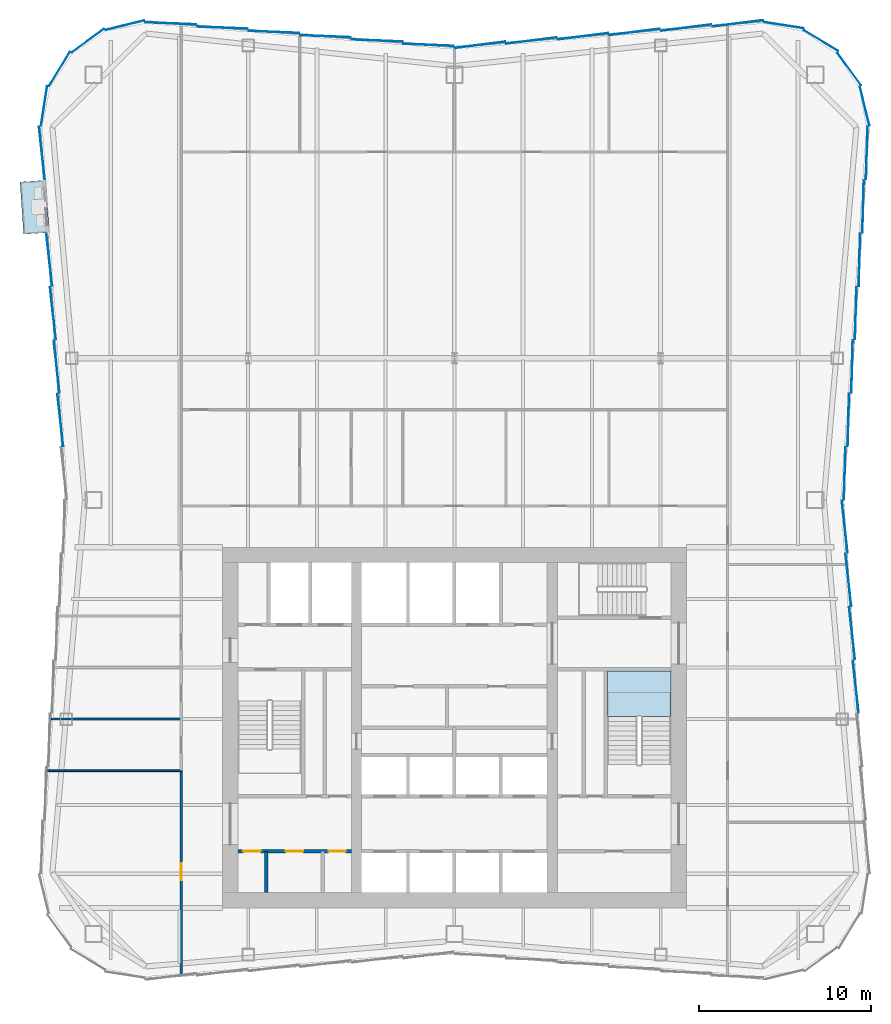
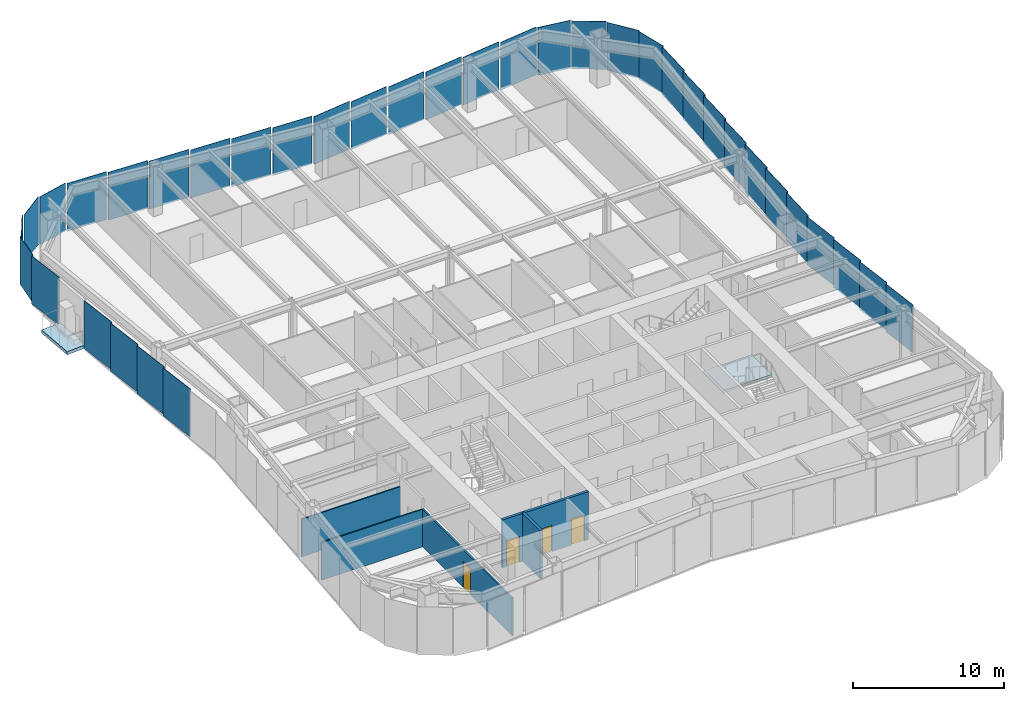
# One storey, part 4 of 10: 36 plates, 5 walls, 4 doors, 2 slabs, 4 openings, 6 elements without a shape of their own.
"""IFC4 building model written with IfcOpenShell, lengths in metres."""

import ifcopenshell
import ifcopenshell.guid

model = None  # the IFC model being written
_history = None  # IfcOwnerHistory: only IFC2X3 demands one
_inside = {}  # id of a spatial element -> (the spatial element, [elements in it])
_under = {}  # id of a project, library or spatial element -> (it, [spatial elements below it])
_declared = {}  # id of a project -> (the project, [libraries it declares])
_typed = {}  # id of a type object -> (the type object, [elements of that type])
_made_of = {}  # id of a material, layer set ... -> (it, [elements and type objects made of it])


def new_model(schema):
    """Start an empty IFC model of exactly this schema.

    Asked for "IFC4X3", IfcOpenShell would pick the latest addendum, in which some entities
    have other attributes; the version numbers below select the first issue.
    IFC2X3 requires an IfcOwnerHistory on every rooted entity: one is made here for all.
    """
    global model, _history
    if schema == "IFC4X3":
        model = ifcopenshell.file(schema_version=(4, 3, 0, 0))
    else:
        model = ifcopenshell.file(schema=schema)
    _inside.clear()
    _under.clear()
    _declared.clear()
    _typed.clear()
    _made_of.clear()
    _history = None
    if model.schema == "IFC2X3":
        org = make("IfcOrganization", Name="unknown")
        user = make(
            "IfcPersonAndOrganization",
            ThePerson=make("IfcPerson", FamilyName="unknown"),
            TheOrganization=org,
        )
        app = make(
            "IfcApplication",
            ApplicationDeveloper=org,
            Version="unknown",
            ApplicationFullName="unknown",
            ApplicationIdentifier="unknown",
        )
        _history = make(
            "IfcOwnerHistory",
            OwningUser=user,
            OwningApplication=app,
            ChangeAction="ADDED",
            CreationDate=0,
        )
    return model


def make(cls, **values):
    """One entity of the class cls with the attributes given. An attribute that is None is left unset."""
    return model.create_entity(
        cls, **{name: value for name, value in values.items() if value is not None}
    )


def rooted(cls, **values):
    """An entity with a GlobalId (a new one), such as an element, a storey or a relation."""
    return make(cls, GlobalId=ifcopenshell.guid.new(), OwnerHistory=_history, **values)


def si_unit(unit_type, name, prefix=None):
    """IfcSIUnit, for example si_unit("LENGTHUNIT", "METRE", prefix="MILLI")."""
    return make("IfcSIUnit", UnitType=unit_type, Prefix=prefix, Name=name)


def assignment(units):
    """IfcUnitAssignment: the units of a project."""
    return None if units is None else make("IfcUnitAssignment", Units=units)


def point(xyz):
    """IfcCartesianPoint."""
    return None if xyz is None else make("IfcCartesianPoint", Coordinates=xyz)


def direction(xyz):
    """IfcDirection."""
    return None if xyz is None else make("IfcDirection", DirectionRatios=xyz)


def frame(location, z_axis=None, x_axis=None):
    """IfcAxis2Placement3D, a coordinate frame: its origin and axes. An axis left out is left unset."""
    return make(
        "IfcAxis2Placement3D",
        Location=point(location),
        Axis=direction(z_axis),
        RefDirection=direction(x_axis),
    )


def frame_2d(location, x_axis=None):
    """IfcAxis2Placement2D, a coordinate frame in the plane: its origin and x axis."""
    return make(
        "IfcAxis2Placement2D", Location=point(location), RefDirection=direction(x_axis)
    )


def origin():
    """The frame at (0, 0, 0) with its axes left unset."""
    return frame((0.0, 0.0, 0.0))


def origin_2d():
    """The frame at (0, 0) in the plane with its x axis left unset."""
    return frame_2d((0.0, 0.0))


def place(relative_to, where):
    """IfcLocalPlacement: puts the frame where relative to a parent placement (None: the world)."""
    return make(
        "IfcLocalPlacement", PlacementRelTo=relative_to, RelativePlacement=where
    )


def context(
    kind, dimensions, precision=None, world=None, true_north=None, identifier=None
):
    """IfcGeometricRepresentationContext, for example the 3D "Model" context."""
    return make(
        "IfcGeometricRepresentationContext",
        ContextIdentifier=identifier,
        ContextType=kind,
        CoordinateSpaceDimension=dimensions,
        Precision=precision,
        WorldCoordinateSystem=world,
        TrueNorth=true_north,
    )


def subcontext(parent, identifier, kind, view, scale=None):
    """IfcGeometricRepresentationSubContext, for example "Body" below "Model"."""
    return make(
        "IfcGeometricRepresentationSubContext",
        ContextIdentifier=identifier,
        ContextType=kind,
        ParentContext=parent,
        TargetScale=scale,
        TargetView=view,
    )


def project(units=None, contexts=None):
    """IfcProject with its units and contexts."""
    return rooted(
        "IfcProject",
        Name="project",
        RepresentationContexts=contexts,
        UnitsInContext=assignment(units),
    )


def spatial(cls, under=None, at=None, **own):
    """A site, building, storey or space (cls), placed at a placement, below another one or the project."""
    s = rooted(cls, ObjectPlacement=at, **own)
    if under is not None:
        _under.setdefault(under.id(), (under, []))[1].append(s)
    return s


def polyline(points):
    """IfcPolyline through the points."""
    return make("IfcPolyline", Points=[point(p) for p in points])


def profile(cls, at=None, kind="AREA", **sizes):
    """A parametric profile (cls). Its sizes go by their IFC names, for example OverallWidth=200.0."""
    return make(cls, ProfileType=kind, Position=at, **sizes)


def rectangle(**sizes):
    """IfcRectangleProfileDef."""
    return profile("IfcRectangleProfileDef", **sizes)


def outline(outer, holes=None, kind="AREA"):
    """IfcArbitraryClosedProfileDef: a profile drawn as a closed curve; with holes, ...WithVoids."""
    if holes is None:
        return make("IfcArbitraryClosedProfileDef", ProfileType=kind, OuterCurve=outer)
    return make(
        "IfcArbitraryProfileDefWithVoids",
        ProfileType=kind,
        OuterCurve=outer,
        InnerCurves=holes,
    )


def extrude(swept, where, along, depth):
    """IfcExtrudedAreaSolid: the profile swept, set in the frame where, extruded along a direction by depth."""
    return make(
        "IfcExtrudedAreaSolid",
        SweptArea=swept,
        Position=where,
        ExtrudedDirection=direction(along),
        Depth=depth,
    )


def shape(context_of_items, identifier, shape_type, items):
    """IfcShapeRepresentation: the items that make up one representation, for example the "Body"."""
    return make(
        "IfcShapeRepresentation",
        ContextOfItems=context_of_items,
        RepresentationIdentifier=identifier,
        RepresentationType=shape_type,
        Items=items,
    )


def material(Name=None, Category=None):
    """IfcMaterial."""
    return make("IfcMaterial", Name=Name, Category=Category)


def layer(
    of_material, thickness, ventilated=None, Name=None, Category=None, Priority=None
):
    """IfcMaterialLayer: one layer of a wall or slab, of a material (None: an air gap)."""
    return make(
        "IfcMaterialLayer",
        Material=of_material,
        LayerThickness=thickness,
        IsVentilated=ventilated,
        Name=Name,
        Category=Category,
        Priority=Priority,
    )


def layer_set(layers, Name=None):
    """IfcMaterialLayerSet."""
    return make("IfcMaterialLayerSet", MaterialLayers=layers, LayerSetName=Name)


def made_of(thing, what):
    """Note that an element or type object is made of a material, layer set ...; save() writes the relation."""
    if what is not None:
        _made_of.setdefault(what.id(), (what, []))[1].append(thing)
    return thing


def type_object(cls, material=None, **own):
    """A type object (cls), such as IfcWallType, which elements share."""
    return made_of(rooted(cls, **own), material)


def element(
    cls,
    number,
    at=None,
    inside=None,
    cuts=None,
    type_object=None,
    material=None,
    context=None,
    identifier="Body",
    shape_type=None,
    held_by="IfcProductDefinitionShape",
    body=None,
    shapes=None,
    **own,
):
    """One element of the class cls, such as IfcWall. Its Tag is "e" and its number.

    at: its placement. inside: the storey or other place that contains it. cuts: it is an
    opening in that element (IfcRelVoidsElement). A single representation is given by context,
    identifier, shape_type and body (its items); several are given by shapes. held_by: the class
    of the entity that holds the representations. save() writes the other relations.
    """
    e = rooted(cls, Tag="e%d" % number, ObjectPlacement=at, **own)
    if body is not None:
        shapes = [shape(context, identifier, shape_type, body)]
    if shapes is not None:
        e.Representation = make(held_by, Representations=shapes)
    if inside is not None:
        _inside.setdefault(inside.id(), (inside, []))[1].append(e)
    if cuts is not None:
        rooted(
            "IfcRelVoidsElement", RelatingBuildingElement=cuts, RelatedOpeningElement=e
        )
    if type_object is not None:
        _typed.setdefault(type_object.id(), (type_object, []))[1].append(e)
    return made_of(e, material)


def fill(opening, filler):
    """IfcRelFillsElement: the door or window that sits in an opening."""
    return rooted(
        "IfcRelFillsElement",
        RelatingOpeningElement=opening,
        RelatedBuildingElement=filler,
    )


def aggregate(whole, parts):
    """IfcRelAggregates: a whole, such as a stair, and the parts it consists of."""
    return rooted("IfcRelAggregates", RelatingObject=whole, RelatedObjects=parts)


def save(model, path):
    """Write the relations noted so far, then the file.

    IfcRelAggregates (storeys below a building ...), IfcRelContainedInSpatialStructure (elements
    in a storey), IfcRelDefinesByType, IfcRelAssociatesMaterial and IfcRelDeclares: one each for
    every whole, place, type object, material and project.
    """
    for whole, parts in _under.values():
        aggregate(whole, parts)
    for where, things in _inside.values():
        rooted(
            "IfcRelContainedInSpatialStructure",
            RelatedElements=things,
            RelatingStructure=where,
        )
    for kind, things in _typed.values():
        rooted("IfcRelDefinesByType", RelatedObjects=things, RelatingType=kind)
    for what, things in _made_of.values():
        rooted("IfcRelAssociatesMaterial", RelatedObjects=things, RelatingMaterial=what)
    for by, libraries in _declared.values():
        rooted("IfcRelDeclares", RelatingContext=by, RelatedDefinitions=libraries)
    model.write(path)


model = new_model("IFC4")

# Units and contexts
model_context = context("Model", 3, precision=1e-05, world=origin(), true_north=direction((0.0, 1.0)))
body_context = subcontext(model_context, "Body", "Model", "MODEL_VIEW")
ifc_project = project(units=[si_unit("LENGTHUNIT", "METRE"), si_unit("AREAUNIT", "SQUARE_METRE"), si_unit("VOLUMEUNIT", "CUBIC_METRE"), si_unit("PLANEANGLEUNIT", "RADIAN"), si_unit("MASSUNIT", "GRAM", prefix="KILO")], contexts=[model_context])

# Site, building, storey
site_placement = place(None, origin())
site = spatial("IfcSite", under=ifc_project, at=site_placement, CompositionType="ELEMENT")
building_placement = place(site_placement, origin())
building = spatial("IfcBuilding", under=site, at=building_placement, Name="Verdant Reach Tower", CompositionType="ELEMENT")
storey_placement = place(building_placement, frame((0.0, 0.0, 202.0)))
storey = spatial("IfcBuildingStorey", under=building, at=storey_placement, Name="L46", CompositionType="ELEMENT", Elevation=202.0)

# Stair, slab
ifc_material_1 = material(Name="Concrete C40/50", Category="concrete")
stair_type = type_object("IfcStairType", Name="CO-STAIR", PredefinedType="HALF_TURN_STAIR", material=ifc_material_1)
stair_placement = place(storey_placement, origin())
stair = element("IfcStair", 1, at=stair_placement, inside=storey, type_object=stair_type, Name="L46 Exit stair 2", PredefinedType="HALF_TURN_STAIR")
ifc_layer_1 = layer(ifc_material_1, 0.199951171875)
ifc_layer_set_1 = layer_set([ifc_layer_1], Name="CO-STAIR-LANDING")
slab_type_1 = type_object("IfcSlabType", Name="CO-STAIR-LANDING", PredefinedType="LANDING", material=ifc_layer_set_1)
slab_1_placement = place(storey_placement, frame((0.0, 0.0, 1.800048828125)))
slab_1 = element("IfcSlab", 2, at=slab_1_placement, type_object=slab_type_1, Name="ST-2 landing 1", PredefinedType="LANDING", context=body_context, shape_type="SweptSolid", body=[
    extrude(outline(polyline([(12.60009765625, 28.64990234375), (12.60009765625, 31.300048828125), (8.89990234375, 31.300048828125), (8.89990234375, 28.64990234375), (12.60009765625, 28.64990234375)])), origin(), (0.0, 0.0, 1.0), 0.199951171875),
])
aggregate(stair, [slab_1])

# Slab
ifc_material_2 = material(Name="Concrete C35/45", Category="concrete")
ifc_layer_2 = layer(ifc_material_2, 0.25)
ifc_layer_set_2 = layer_set([ifc_layer_2], Name="EN-BALCONY SLAB")
slab_type_2 = type_object("IfcSlabType", Name="EN-BALCONY SLAB", PredefinedType="FLOOR", material=ifc_layer_set_2)
slab_2_placement = place(storey_placement, frame((0.0, 0.0, -0.25)))
element("IfcSlab", 3, at=slab_2_placement, inside=storey, type_object=slab_type_2, Name="Balcony slab 1, L46", PredefinedType="FLOOR", context=body_context, shape_type="SweptSolid", body=[
    extrude(outline(polyline([(-23.783447265625, 59.85986328125), (-23.57373046875, 56.818603515625), (-25.070068359375, 56.71533203125), (-25.27978515625, 59.7568359375), (-23.783447265625, 59.85986328125)])), origin(), (0.0, 0.0, 1.0), 0.25),
])

# Curtain wall, plates
ifc_material_3 = material(Name="Anodised aluminium", Category="aluminium")
curtain_wall_type = type_object("IfcCurtainWallType", Name="EN-CW SYSTEM Z3", PredefinedType="NOTDEFINED", material=ifc_material_3)
curtain_wall_1_placement = place(storey_placement, origin())
curtain_wall_1 = element("IfcCurtainWall", 4, at=curtain_wall_1_placement, inside=storey, type_object=curtain_wall_type, Name="Curtain wall east, L46", PredefinedType="NOTDEFINED")
ifc_material_4 = material(Name="Tinted glass with champagne spandrel", Category="glass")
ifc_layer_3 = layer(ifc_material_4, 0.031982421875)
ifc_layer_set_3 = layer_set([ifc_layer_3], Name="EN-PANEL CHAMPAGNE")
plate_type_1 = type_object("IfcPlateType", Name="EN-PANEL CHAMPAGNE", PredefinedType="CURTAIN_PANEL", material=ifc_layer_set_3)
plate_1_placement = place(storey_placement, frame((22.93017578125, 36.5966796875, -0.22412109375), z_axis=(0.0, 0.0, 1.0), x_axis=(-0.110518162674, 0.993874104562, 0.0)))
plate_1 = element("IfcPlate", 5, at=plate_1_placement, type_object=plate_type_1, Name="Glass panel east face part 1 6.1, L46", PredefinedType="CURTAIN_PANEL", context=body_context, shape_type="SweptSolid", body=[
    extrude(rectangle(XDim=3.052490234375, YDim=0.031982421875, at=origin_2d()), origin(), (0.0, 0.0, 1.0), 3.8740234375),
])
plate_2_placement = place(storey_placement, frame((22.716064453125, 39.7001953125, -0.22412109375), z_axis=(0.0, 0.0, 1.0), x_axis=(-0.110600785385, 0.993864913493, 0.0)))
plate_2 = element("IfcPlate", 6, at=plate_2_placement, type_object=plate_type_1, Name="Glass panel east face part 1 7.1, L46", PredefinedType="CURTAIN_PANEL", context=body_context, shape_type="SweptSolid", body=[
    extrude(rectangle(XDim=3.044921875, YDim=0.031982421875, at=origin_2d()), origin(), (0.0, 0.0, 1.0), 3.8740234375),
])
plate_3_placement = place(storey_placement, frame((22.716064453125, 42.7998046875, -0.22412109375), z_axis=(0.0, 0.0, 1.0), x_axis=(0.027048420339, 0.999634124546, 0.0)))
plate_3 = element("IfcPlate", 7, at=plate_3_placement, type_object=plate_type_1, Name="Glass panel east face part 2 1.1, L46", PredefinedType="CURTAIN_PANEL", context=body_context, shape_type="SweptSolid", body=[
    extrude(rectangle(XDim=3.044921875, YDim=0.031982421875, at=origin_2d()), origin(), (0.0, 0.0, 1.0), 3.8740234375),
])
plate_4_placement = place(storey_placement, frame((24.001708984375, 61.446044921875, -0.22412109375), z_axis=(0.0, 0.0, 1.0), x_axis=(0.026659626966, 0.999644568979, 0.0)))
plate_4 = element("IfcPlate", 8, at=plate_4_placement, type_object=plate_type_1, Name="Glass panel east face part 2 7.1, L46", PredefinedType="CURTAIN_PANEL", context=body_context, shape_type="SweptSolid", body=[
    extrude(rectangle(XDim=3.06689453125, YDim=0.031982421875, at=origin_2d()), origin(), (0.0, 0.0, 1.0), 3.8740234375),
])

curtain_wall_2_placement = place(storey_placement, origin())
curtain_wall_2 = element("IfcCurtainWall", 9, at=curtain_wall_2_placement, inside=storey, type_object=curtain_wall_type, Name="Curtain wall north, L46", PredefinedType="NOTDEFINED")
plate_5_placement = place(storey_placement, frame((7.490966796875, 68.233642578125, -0.22412109375), z_axis=(0.0, 0.0, 1.0), x_axis=(-0.992194034542, -0.124703639961, 0.0)))
plate_5 = element("IfcPlate", 10, at=plate_5_placement, type_object=plate_type_1, Name="Glass panel north face part 1 4.1, L46", PredefinedType="CURTAIN_PANEL", context=body_context, shape_type="SweptSolid", body=[
    extrude(rectangle(XDim=2.948486328125, YDim=0.031982421875, at=origin_2d()), origin(), (0.0, 0.0, 1.0), 3.8740234375),
])
plate_6_placement = place(storey_placement, frame((4.490966796875, 67.983642578125, -0.22412109375), z_axis=(0.0, 0.0, 1.0), x_axis=(-0.992194034542, -0.124703639961, 0.0)))
plate_6 = element("IfcPlate", 11, at=plate_6_placement, type_object=plate_type_1, Name="Glass panel north face part 1 5.1, L46", PredefinedType="CURTAIN_PANEL", context=body_context, shape_type="SweptSolid", body=[
    extrude(rectangle(XDim=2.948486328125, YDim=0.031982421875, at=origin_2d()), origin(), (0.0, 0.0, 1.0), 3.8740234375),
])
plate_7_placement = place(storey_placement, frame((-13.490966796875, 68.733642578125, -0.22412109375), z_axis=(0.0, 0.0, 1.0), x_axis=(-0.999149202059, 0.041241629766, 0.0)))
plate_7 = element("IfcPlate", 12, at=plate_7_placement, type_object=plate_type_1, Name="Glass panel north face part 2 5.1, L46", PredefinedType="CURTAIN_PANEL", context=body_context, shape_type="SweptSolid", body=[
    extrude(rectangle(XDim=2.948486328125, YDim=0.031982421875, at=origin_2d()), origin(), (0.0, 0.0, 1.0), 3.8740234375),
])
plate_8_placement = place(storey_placement, frame((-16.49853515625, 68.983642578125, -0.22412109375), z_axis=(0.0, 0.0, 1.0), x_axis=(-0.999163623568, 0.040890748818, 0.0)))
plate_8 = element("IfcPlate", 13, at=plate_8_placement, type_object=plate_type_1, Name="Glass panel north face part 2 6.1, L46", PredefinedType="CURTAIN_PANEL", context=body_context, shape_type="SweptSolid", body=[
    extrude(rectangle(XDim=2.963623046875, YDim=0.031982421875, at=origin_2d()), origin(), (0.0, 0.0, 1.0), 3.8740234375),
])

# Curtain wall, plate
curtain_wall_3_placement = place(storey_placement, origin())
curtain_wall_3 = element("IfcCurtainWall", 14, at=curtain_wall_3_placement, inside=storey, type_object=curtain_wall_type, Name="Curtain wall north-west corner, L46", PredefinedType="NOTDEFINED")
plate_9_placement = place(storey_placement, frame((-23.87646484375, 64.17236328125, -0.22412109375), z_axis=(0.0, 0.0, 1.0), x_axis=(-0.154311870796, -0.988022189291, 0.0)))
plate_9 = element("IfcPlate", 15, at=plate_9_placement, type_object=plate_type_1, Name="Glass panel north-west corner 4.1, L46", PredefinedType="CURTAIN_PANEL", context=body_context, shape_type="SweptSolid", body=[
    extrude(rectangle(XDim=2.314697265625, YDim=0.031982421875, at=origin_2d()), origin(), (0.0, 0.0, 1.0), 3.8740234375),
])

# Curtain wall, plates
curtain_wall_4_placement = place(storey_placement, origin())
curtain_wall_4 = element("IfcCurtainWall", 16, at=curtain_wall_4_placement, inside=storey, type_object=curtain_wall_type, Name="Curtain wall west, L46", PredefinedType="NOTDEFINED")
plate_10_placement = place(storey_placement, frame((-23.572998046875, 55.224609375, -0.22412109375), z_axis=(0.0, 0.0, 1.0), x_axis=(0.110518162674, -0.993874104562, 0.0)))
plate_10 = element("IfcPlate", 17, at=plate_10_placement, type_object=plate_type_1, Name="Glass panel west face part 1 3.1, L46", PredefinedType="CURTAIN_PANEL", context=body_context, shape_type="SweptSolid", body=[
    extrude(rectangle(XDim=3.052490234375, YDim=0.031982421875, at=origin_2d()), origin(), (0.0, 0.0, 1.0), 3.8740234375),
])
plate_11_placement = place(storey_placement, frame((-23.358642578125, 52.117431640625, -0.22412109375), z_axis=(0.0, 0.0, 1.0), x_axis=(0.110518162674, -0.993874104562, 0.0)))
plate_11 = element("IfcPlate", 18, at=plate_11_placement, type_object=plate_type_1, Name="Glass panel west face part 1 4.1, L46", PredefinedType="CURTAIN_PANEL", context=body_context, shape_type="SweptSolid", body=[
    extrude(rectangle(XDim=3.052490234375, YDim=0.031982421875, at=origin_2d()), origin(), (0.0, 0.0, 1.0), 3.8740234375),
])

# Plate
ifc_material_5 = material(Name="Tinted glass with copper spandrel", Category="glass")
ifc_layer_4 = layer(ifc_material_5, 0.031982421875)
ifc_layer_set_4 = layer_set([ifc_layer_4], Name="EN-PANEL COPPER")
plate_type_2 = type_object("IfcPlateType", Name="EN-PANEL COPPER", PredefinedType="CURTAIN_PANEL", material=ifc_layer_set_4)
plate_12_placement = place(storey_placement, frame((22.93017578125, 45.9033203125, -0.22412109375), z_axis=(0.0, 0.0, 1.0), x_axis=(0.026965318308, 0.999636369691, 0.0)))
plate_12 = element("IfcPlate", 19, at=plate_12_placement, type_object=plate_type_2, Name="Glass panel east face part 2 2.1, L46", PredefinedType="CURTAIN_PANEL", context=body_context, shape_type="SweptSolid", body=[
    extrude(rectangle(XDim=3.052490234375, YDim=0.031982421875, at=origin_2d()), origin(), (0.0, 0.0, 1.0), 3.8740234375),
])

plate_13_placement = place(storey_placement, frame((23.14453125, 49.01025390625, -0.22412109375), z_axis=(0.0, 0.0, 1.0), x_axis=(0.026965318308, 0.999636369691, 0.0)))
plate_13 = element("IfcPlate", 20, at=plate_13_placement, type_object=plate_type_2, Name="Glass panel east face part 2 3.1, L46", PredefinedType="CURTAIN_PANEL", context=body_context, shape_type="SweptSolid", body=[
    extrude(rectangle(XDim=3.052490234375, YDim=0.031982421875, at=origin_2d()), origin(), (0.0, 0.0, 1.0), 3.8740234375),
])

plate_14_placement = place(storey_placement, frame((23.358642578125, 52.117431640625, -0.22412109375), z_axis=(0.0, 0.0, 1.0), x_axis=(0.026965318308, 0.999636369691, 0.0)))
plate_14 = element("IfcPlate", 21, at=plate_14_placement, type_object=plate_type_2, Name="Glass panel east face part 2 4.1, L46", PredefinedType="CURTAIN_PANEL", context=body_context, shape_type="SweptSolid", body=[
    extrude(rectangle(XDim=3.052490234375, YDim=0.031982421875, at=origin_2d()), origin(), (0.0, 0.0, 1.0), 3.8740234375),
])

# Curtain wall, plates
curtain_wall_5_placement = place(storey_placement, origin())
curtain_wall_5 = element("IfcCurtainWall", 22, at=curtain_wall_5_placement, inside=storey, type_object=curtain_wall_type, Name="Curtain wall north-east corner, L46", PredefinedType="NOTDEFINED")
plate_15_placement = place(storey_placement, frame((23.87646484375, 64.17236328125, -0.22412109375), z_axis=(0.0, 0.0, 1.0), x_axis=(-0.23644624331, 0.97164457186, 0.0)))
plate_15 = element("IfcPlate", 23, at=plate_15_placement, type_object=plate_type_2, Name="Glass panel north-east corner 1.1, L46", PredefinedType="CURTAIN_PANEL", context=body_context, shape_type="SweptSolid", body=[
    extrude(rectangle(XDim=2.314697265625, YDim=0.031982421875, at=origin_2d()), origin(), (0.0, 0.0, 1.0), 3.8740234375),
])
plate_16_placement = place(storey_placement, frame((22.98193359375, 66.328857421875, -0.22412109375), z_axis=(0.0, 0.0, 1.0), x_axis=(-0.589926747542, 0.807456768214, 0.0)))
plate_16 = element("IfcPlate", 24, at=plate_16_placement, type_object=plate_type_2, Name="Glass panel north-east corner 2.1, L46", PredefinedType="CURTAIN_PANEL", context=body_context, shape_type="SweptSolid", body=[
    extrude(rectangle(XDim=2.321533203125, YDim=0.031982421875, at=origin_2d()), origin(), (0.0, 0.0, 1.0), 3.8740234375),
])

# Plate
plate_17_placement = place(storey_placement, frame((1.495361328125, 67.73388671875, -0.22412109375), z_axis=(0.0, 0.0, 1.0), x_axis=(-0.992178382939, -0.124828107529, 0.0)))
plate_17 = element("IfcPlate", 25, at=plate_17_placement, type_object=plate_type_2, Name="Glass panel north face part 1 6.1, L46", PredefinedType="CURTAIN_PANEL", context=body_context, shape_type="SweptSolid", body=[
    extrude(rectangle(XDim=2.939453125, YDim=0.031982421875, at=origin_2d()), origin(), (0.0, 0.0, 1.0), 3.8740234375),
])

plate_18_placement = place(storey_placement, frame((-1.495361328125, 67.73388671875, -0.22412109375), z_axis=(0.0, 0.0, 1.0), x_axis=(-0.999144020525, 0.041366970501, 0.0)))
plate_18 = element("IfcPlate", 26, at=plate_18_placement, type_object=plate_type_2, Name="Glass panel north face part 2 1.1, L46", PredefinedType="CURTAIN_PANEL", context=body_context, shape_type="SweptSolid", body=[
    extrude(rectangle(XDim=2.939453125, YDim=0.031982421875, at=origin_2d()), origin(), (0.0, 0.0, 1.0), 3.8740234375),
])

plate_19_placement = place(storey_placement, frame((-4.490966796875, 67.983642578125, -0.22412109375), z_axis=(0.0, 0.0, 1.0), x_axis=(-0.999149202059, 0.041241629766, 0.0)))
plate_19 = element("IfcPlate", 27, at=plate_19_placement, type_object=plate_type_2, Name="Glass panel north face part 2 2.1, L46", PredefinedType="CURTAIN_PANEL", context=body_context, shape_type="SweptSolid", body=[
    extrude(rectangle(XDim=2.948486328125, YDim=0.031982421875, at=origin_2d()), origin(), (0.0, 0.0, 1.0), 3.8740234375),
])

plate_20_placement = place(storey_placement, frame((-23.14453125, 49.01025390625, -0.22412109375), z_axis=(0.0, 0.0, 1.0), x_axis=(0.110518162674, -0.993874104562, 0.0)))
plate_20 = element("IfcPlate", 28, at=plate_20_placement, type_object=plate_type_2, Name="Glass panel west face part 1 5.1, L46", PredefinedType="CURTAIN_PANEL", context=body_context, shape_type="SweptSolid", body=[
    extrude(rectangle(XDim=3.052490234375, YDim=0.031982421875, at=origin_2d()), origin(), (0.0, 0.0, 1.0), 3.8740234375),
])

plate_21_placement = place(storey_placement, frame((-22.93017578125, 45.9033203125, -0.22412109375), z_axis=(0.0, 0.0, 1.0), x_axis=(0.110518162674, -0.993874104562, 0.0)))
plate_21 = element("IfcPlate", 29, at=plate_21_placement, type_object=plate_type_2, Name="Glass panel west face part 1 6.1, L46", PredefinedType="CURTAIN_PANEL", context=body_context, shape_type="SweptSolid", body=[
    extrude(rectangle(XDim=3.052490234375, YDim=0.031982421875, at=origin_2d()), origin(), (0.0, 0.0, 1.0), 3.8740234375),
])

ifc_material_6 = material(Name="Tinted glass with dark bronze spandrel", Category="glass")
ifc_layer_5 = layer(ifc_material_6, 0.031982421875)
ifc_layer_set_5 = layer_set([ifc_layer_5], Name="EN-PANEL DARK")
plate_type_3 = type_object("IfcPlateType", Name="EN-PANEL DARK", PredefinedType="CURTAIN_PANEL", material=ifc_layer_set_5)
plate_22_placement = place(storey_placement, frame((23.358642578125, 30.382568359375, -0.22412109375), z_axis=(0.0, 0.0, 1.0), x_axis=(-0.110518162674, 0.993874104562, 0.0)))
plate_22 = element("IfcPlate", 30, at=plate_22_placement, type_object=plate_type_3, Name="Glass panel east face part 1 4.1, L46", PredefinedType="CURTAIN_PANEL", context=body_context, shape_type="SweptSolid", body=[
    extrude(rectangle(XDim=3.052490234375, YDim=0.031982421875, at=origin_2d()), origin(), (0.0, 0.0, 1.0), 3.8740234375),
])

plate_23_placement = place(storey_placement, frame((23.14453125, 33.48974609375, -0.22412109375), z_axis=(0.0, 0.0, 1.0), x_axis=(-0.110518162674, 0.993874104562, 0.0)))
plate_23 = element("IfcPlate", 31, at=plate_23_placement, type_object=plate_type_3, Name="Glass panel east face part 1 5.1, L46", PredefinedType="CURTAIN_PANEL", context=body_context, shape_type="SweptSolid", body=[
    extrude(rectangle(XDim=3.052490234375, YDim=0.031982421875, at=origin_2d()), origin(), (0.0, 0.0, 1.0), 3.8740234375),
])

plate_24_placement = place(storey_placement, frame((23.572998046875, 55.224609375, -0.22412109375), z_axis=(0.0, 0.0, 1.0), x_axis=(0.026965318308, 0.999636369691, 0.0)))
plate_24 = element("IfcPlate", 32, at=plate_24_placement, type_object=plate_type_3, Name="Glass panel east face part 2 5.1, L46", PredefinedType="CURTAIN_PANEL", context=body_context, shape_type="SweptSolid", body=[
    extrude(rectangle(XDim=3.052490234375, YDim=0.031982421875, at=origin_2d()), origin(), (0.0, 0.0, 1.0), 3.8740234375),
])

plate_25_placement = place(storey_placement, frame((23.787353515625, 58.331787109375, -0.22412109375), z_axis=(0.0, 0.0, 1.0), x_axis=(0.026965318308, 0.999636369691, 0.0)))
plate_25 = element("IfcPlate", 33, at=plate_25_placement, type_object=plate_type_3, Name="Glass panel east face part 2 6.1, L46", PredefinedType="CURTAIN_PANEL", context=body_context, shape_type="SweptSolid", body=[
    extrude(rectangle(XDim=3.052490234375, YDim=0.031982421875, at=origin_2d()), origin(), (0.0, 0.0, 1.0), 3.8740234375),
])

aggregate(curtain_wall_1, [plate_22, plate_23, plate_1, plate_2, plate_3, plate_12, plate_13, plate_14, plate_24, plate_25, plate_4])

plate_26_placement = place(storey_placement, frame((21.328857421875, 67.98193359375, -0.22412109375), z_axis=(0.0, 0.0, 1.0), x_axis=(-0.853988701636, 0.520291550457, 0.0)))
plate_26 = element("IfcPlate", 34, at=plate_26_placement, type_object=plate_type_3, Name="Glass panel north-east corner 3.1, L46", PredefinedType="CURTAIN_PANEL", context=body_context, shape_type="SweptSolid", body=[
    extrude(rectangle(XDim=2.321533203125, YDim=0.031982421875, at=origin_2d()), origin(), (0.0, 0.0, 1.0), 3.8740234375),
])

plate_27_placement = place(storey_placement, frame((19.171875, 68.87646484375, -0.22412109375), z_axis=(0.0, 0.0, 1.0), x_axis=(-0.988029071555, 0.154267798848, 0.0)))
plate_27 = element("IfcPlate", 35, at=plate_27_placement, type_object=plate_type_3, Name="Glass panel north-east corner 4.1, L46", PredefinedType="CURTAIN_PANEL", context=body_context, shape_type="SweptSolid", body=[
    extrude(rectangle(XDim=2.3154296875, YDim=0.031982421875, at=origin_2d()), origin(), (0.0, 0.0, 1.0), 3.8740234375),
])

aggregate(curtain_wall_5, [plate_15, plate_16, plate_26, plate_27])

plate_28_placement = place(storey_placement, frame((16.49853515625, 68.983642578125, -0.22412109375), z_axis=(0.0, 0.0, 1.0), x_axis=(-0.992237766434, -0.124355196363, 0.0)))
plate_28 = element("IfcPlate", 36, at=plate_28_placement, type_object=plate_type_3, Name="Glass panel north face part 1 1.1, L46", PredefinedType="CURTAIN_PANEL", context=body_context, shape_type="SweptSolid", body=[
    extrude(rectangle(XDim=2.963623046875, YDim=0.031982421875, at=origin_2d()), origin(), (0.0, 0.0, 1.0), 3.8740234375),
])

plate_29_placement = place(storey_placement, frame((13.490966796875, 68.733642578125, -0.22412109375), z_axis=(0.0, 0.0, 1.0), x_axis=(-0.992194034542, -0.124703639961, 0.0)))
plate_29 = element("IfcPlate", 37, at=plate_29_placement, type_object=plate_type_3, Name="Glass panel north face part 1 2.1, L46", PredefinedType="CURTAIN_PANEL", context=body_context, shape_type="SweptSolid", body=[
    extrude(rectangle(XDim=2.948486328125, YDim=0.031982421875, at=origin_2d()), origin(), (0.0, 0.0, 1.0), 3.8740234375),
])

plate_30_placement = place(storey_placement, frame((10.490966796875, 68.483642578125, -0.22412109375), z_axis=(0.0, 0.0, 1.0), x_axis=(-0.992194034542, -0.124703639961, 0.0)))
plate_30 = element("IfcPlate", 38, at=plate_30_placement, type_object=plate_type_3, Name="Glass panel north face part 1 3.1, L46", PredefinedType="CURTAIN_PANEL", context=body_context, shape_type="SweptSolid", body=[
    extrude(rectangle(XDim=2.948486328125, YDim=0.031982421875, at=origin_2d()), origin(), (0.0, 0.0, 1.0), 3.8740234375),
])

plate_31_placement = place(storey_placement, frame((-7.490966796875, 68.233642578125, -0.22412109375), z_axis=(0.0, 0.0, 1.0), x_axis=(-0.999149202059, 0.041241629766, 0.0)))
plate_31 = element("IfcPlate", 39, at=plate_31_placement, type_object=plate_type_3, Name="Glass panel north face part 2 3.1, L46", PredefinedType="CURTAIN_PANEL", context=body_context, shape_type="SweptSolid", body=[
    extrude(rectangle(XDim=2.948486328125, YDim=0.031982421875, at=origin_2d()), origin(), (0.0, 0.0, 1.0), 3.8740234375),
])

plate_32_placement = place(storey_placement, frame((-10.490966796875, 68.483642578125, -0.22412109375), z_axis=(0.0, 0.0, 1.0), x_axis=(-0.999149202059, 0.041241629766, 0.0)))
plate_32 = element("IfcPlate", 40, at=plate_32_placement, type_object=plate_type_3, Name="Glass panel north face part 2 4.1, L46", PredefinedType="CURTAIN_PANEL", context=body_context, shape_type="SweptSolid", body=[
    extrude(rectangle(XDim=2.948486328125, YDim=0.031982421875, at=origin_2d()), origin(), (0.0, 0.0, 1.0), 3.8740234375),
])

aggregate(curtain_wall_2, [plate_28, plate_29, plate_30, plate_5, plate_6, plate_17, plate_18, plate_19, plate_31, plate_32, plate_7, plate_8])

plate_33_placement = place(storey_placement, frame((-19.171875, 68.87646484375, -0.22412109375), z_axis=(0.0, 0.0, 1.0), x_axis=(-0.971655117833, -0.236402901821, 0.0)))
plate_33 = element("IfcPlate", 41, at=plate_33_placement, type_object=plate_type_3, Name="Glass panel north-west corner 1.1, L46", PredefinedType="CURTAIN_PANEL", context=body_context, shape_type="SweptSolid", body=[
    extrude(rectangle(XDim=2.3154296875, YDim=0.031982421875, at=origin_2d()), origin(), (0.0, 0.0, 1.0), 3.8740234375),
])

plate_34_placement = place(storey_placement, frame((-21.328857421875, 67.98193359375, -0.22412109375), z_axis=(0.0, 0.0, 1.0), x_axis=(-0.807456768214, -0.589926747542, 0.0)))
plate_34 = element("IfcPlate", 42, at=plate_34_placement, type_object=plate_type_3, Name="Glass panel north-west corner 2.1, L46", PredefinedType="CURTAIN_PANEL", context=body_context, shape_type="SweptSolid", body=[
    extrude(rectangle(XDim=2.321533203125, YDim=0.031982421875, at=origin_2d()), origin(), (0.0, 0.0, 1.0), 3.8740234375),
])

plate_35_placement = place(storey_placement, frame((-22.98193359375, 66.328857421875, -0.22412109375), z_axis=(0.0, 0.0, 1.0), x_axis=(-0.520291550457, -0.853988701636, 0.0)))
plate_35 = element("IfcPlate", 43, at=plate_35_placement, type_object=plate_type_3, Name="Glass panel north-west corner 3.1, L46", PredefinedType="CURTAIN_PANEL", context=body_context, shape_type="SweptSolid", body=[
    extrude(rectangle(XDim=2.321533203125, YDim=0.031982421875, at=origin_2d()), origin(), (0.0, 0.0, 1.0), 3.8740234375),
])

aggregate(curtain_wall_3, [plate_33, plate_34, plate_35, plate_9])

plate_36_placement = place(storey_placement, frame((-24.001708984375, 61.446044921875, -0.22412109375), z_axis=(0.0, 0.0, 1.0), x_axis=(0.110214229533, -0.993907854687, 0.0)))
plate_36 = element("IfcPlate", 44, at=plate_36_placement, type_object=plate_type_3, Name="Glass panel west face part 1 1.1, L46", PredefinedType="CURTAIN_PANEL", context=body_context, shape_type="SweptSolid", body=[
    extrude(rectangle(XDim=3.06689453125, YDim=0.031982421875, at=origin_2d()), origin(), (0.0, 0.0, 1.0), 3.8740234375),
])

aggregate(curtain_wall_4, [plate_36, plate_10, plate_11, plate_20, plate_21])

# Wall, openings, doors
ifc_material_7 = material(Name="Gypsum board on steel studs", Category="steel")
ifc_layer_6 = layer(ifc_material_7, 0.199951171875)
ifc_layer_set_6 = layer_set([ifc_layer_6], Name="CO-WALL-ROOM")
wall_type_1 = type_object("IfcWallType", Name="CO-WALL-ROOM", PredefinedType="PARTITIONING", material=ifc_layer_set_6)
wall_1_placement = place(storey_placement, frame((-12.60009765625, 20.800048828125, 0.0), z_axis=(0.0, 0.0, 1.0), x_axis=(1.0, 0.0, 0.0)))
wall_1 = element("IfcWall", 45, at=wall_1_placement, inside=storey, type_object=wall_type_1, Name="Core partition, L46", PredefinedType="PARTITIONING", context=body_context, shape_type="SweptSolid", body=[
    extrude(rectangle(XDim=6.60009765625, YDim=0.199951171875, at=frame_2d((3.300048828125, 0.0))), origin(), (0.0, 0.0, 1.0), 3.8701171875),
])
opening_1_placement = place(wall_1_placement, frame((0.324951171875, 0.0, 0.0)))
opening_1 = element("IfcOpeningElement", 46, at=opening_1_placement, cuts=wall_1, Name="Opening CD", PredefinedType="OPENING", context=body_context, shape_type="SweptSolid", body=[
    extrude(rectangle(XDim=1.0, YDim=2.10009765625, at=frame_2d((0.5, 1.050048828125))), frame((0.0, 0.10986328125, 0.0), z_axis=(0.0, -1.0, 0.0), x_axis=(1.0, 0.0, 0.0)), (0.0, 0.0, 1.0), 0.219970703125),
])
opening_2_placement = place(wall_1_placement, frame((2.800048828125, 0.0, 0.0)))
opening_2 = element("IfcOpeningElement", 47, at=opening_2_placement, cuts=wall_1, Name="Opening CD", PredefinedType="OPENING", context=body_context, shape_type="SweptSolid", body=[
    extrude(rectangle(XDim=1.0, YDim=2.10009765625, at=frame_2d((0.5, 1.050048828125))), frame((0.0, 0.10986328125, 0.0), z_axis=(0.0, -1.0, 0.0), x_axis=(1.0, 0.0, 0.0)), (0.0, 0.0, 1.0), 0.219970703125),
])
opening_3_placement = place(wall_1_placement, frame((5.27490234375, 0.0, 0.0)))
opening_3 = element("IfcOpeningElement", 48, at=opening_3_placement, cuts=wall_1, Name="Opening CD", PredefinedType="OPENING", context=body_context, shape_type="SweptSolid", body=[
    extrude(rectangle(XDim=1.0, YDim=2.10009765625, at=frame_2d((0.5, 1.050048828125))), frame((0.0, 0.10986328125, 0.0), z_axis=(0.0, -1.0, 0.0), x_axis=(1.0, 0.0, 0.0)), (0.0, 0.0, 1.0), 0.219970703125),
])
ifc_material_8 = material(Name="Timber", Category="wood")
door_type_1 = type_object("IfcDoorType", Name="CO-DOOR-ROOM", OperationType="NOTDEFINED", PredefinedType="DOOR", material=ifc_material_8)
door_1_placement = place(opening_1_placement, origin())
door_1 = element("IfcDoor", 49, at=door_1_placement, inside=storey, type_object=door_type_1, Name="Core room door, L46", OperationType="SINGLE_SWING_RIGHT", OverallHeight=2.10009765625, OverallWidth=1.0, PredefinedType="DOOR", context=body_context, shape_type="SweptSolid", body=[
    extrude(rectangle(XDim=1.0, YDim=2.10009765625, at=frame_2d((0.5, 1.050048828125))), frame((0.0, 0.02490234375, 0.0), z_axis=(0.0, -1.0, 0.0), x_axis=(1.0, 0.0, 0.0)), (0.0, 0.0, 1.0), 0.050048828125),
])
fill(opening_1, door_1)
door_2_placement = place(opening_2_placement, origin())
door_2 = element("IfcDoor", 50, at=door_2_placement, inside=storey, type_object=door_type_1, Name="Core room door, L46", OperationType="SINGLE_SWING_RIGHT", OverallHeight=2.10009765625, OverallWidth=1.0, PredefinedType="DOOR", context=body_context, shape_type="SweptSolid", body=[
    extrude(rectangle(XDim=1.0, YDim=2.10009765625, at=frame_2d((0.5, 1.050048828125))), frame((0.0, 0.02490234375, 0.0), z_axis=(0.0, -1.0, 0.0), x_axis=(1.0, 0.0, 0.0)), (0.0, 0.0, 1.0), 0.050048828125),
])
fill(opening_2, door_2)
door_3_placement = place(opening_3_placement, origin())
door_3 = element("IfcDoor", 51, at=door_3_placement, inside=storey, type_object=door_type_1, Name="Core room door, L46", OperationType="SINGLE_SWING_RIGHT", OverallHeight=2.10009765625, OverallWidth=1.0, PredefinedType="DOOR", context=body_context, shape_type="SweptSolid", body=[
    extrude(rectangle(XDim=1.0, YDim=2.10009765625, at=frame_2d((0.5, 1.050048828125))), frame((0.0, 0.02490234375, 0.0), z_axis=(0.0, -1.0, 0.0), x_axis=(1.0, 0.0, 0.0)), (0.0, 0.0, 1.0), 0.050048828125),
])
fill(opening_3, door_3)

# Walls
wall_2_placement = place(storey_placement, frame((-10.949951171875, 18.39990234375, 0.0), z_axis=(0.0, 0.0, 1.0), x_axis=(0.0, 1.0, 0.0)))
element("IfcWall", 52, at=wall_2_placement, inside=storey, type_object=wall_type_1, Name="Core partition, L46", PredefinedType="PARTITIONING", context=body_context, shape_type="SweptSolid", body=[
    extrude(rectangle(XDim=2.400146484375, YDim=0.199951171875, at=frame_2d((1.2001953125, 0.0))), origin(), (0.0, 0.0, 1.0), 3.8701171875),
])
ifc_layer_7 = layer(ifc_material_7, 0.10009765625)
ifc_layer_set_7 = layer_set([ifc_layer_7], Name="FL-W1 Partition 100")
wall_type_2 = type_object("IfcWallType", Name="FL-W1 Partition 100", PredefinedType="PARTITIONING", material=ifc_layer_set_7)
wall_3_placement = place(storey_placement, frame((-15.89990234375, 25.5, 0.0), z_axis=(0.0, 0.0, 1.0), x_axis=(-1.0, 0.0, 0.0)))
element("IfcWall", 53, at=wall_3_placement, inside=storey, type_object=wall_type_2, Name="Partition 46.40", PredefinedType="PARTITIONING", context=body_context, shape_type="SweptSolid", body=[
    extrude(rectangle(XDim=7.766357421875, YDim=0.10009765625, at=frame_2d((3.88330078125, 0.0))), origin(), (0.0, 0.0, 1.0), 3.0400390625),
])
wall_4_placement = place(storey_placement, frame((-15.89990234375, 28.5, 0.0), z_axis=(0.0, 0.0, 1.0), x_axis=(-1.0, 0.0, 0.0)))
element("IfcWall", 54, at=wall_4_placement, inside=storey, type_object=wall_type_2, Name="Partition 46.41", PredefinedType="PARTITIONING", context=body_context, shape_type="SweptSolid", body=[
    extrude(rectangle(XDim=7.559326171875, YDim=0.10009765625, at=frame_2d((3.77978515625, 0.0))), origin(), (0.0, 0.0, 1.0), 3.0400390625),
])

# Wall, opening, door
ifc_material_9 = material(Name="Gypsum board on steel studs, fire rated", Category="steel")
ifc_layer_8 = layer(ifc_material_9, 0.125)
ifc_layer_set_8 = layer_set([ifc_layer_8], Name="FL-W2 Corridor wall 125")
wall_type_3 = type_object("IfcWallType", Name="FL-W2 Corridor wall 125", PredefinedType="PARTITIONING", material=ifc_layer_set_8)
wall_5_placement = place(storey_placement, frame((-15.89990234375, 13.594970703125, 0.0), z_axis=(0.0, 0.0, 1.0), x_axis=(0.0, 1.0, 0.0)))
wall_5 = element("IfcWall", 55, at=wall_5_placement, inside=storey, type_object=wall_type_3, Name="Partition 46.07", PredefinedType="PARTITIONING", context=body_context, shape_type="SweptSolid", body=[
    extrude(rectangle(XDim=11.905029296875, YDim=0.125, at=frame_2d((5.95263671875, 0.0))), origin(), (0.0, 0.0, 1.0), 3.0400390625),
])
opening_4_placement = place(wall_5_placement, frame((5.517578125, 0.0, 0.0)))
opening_4 = element("IfcOpeningElement", 56, at=opening_4_placement, cuts=wall_5, Name="Opening D2", PredefinedType="OPENING", context=body_context, shape_type="SweptSolid", body=[
    extrude(rectangle(XDim=1.0, YDim=2.10009765625, at=frame_2d((0.5, 1.050048828125))), frame((0.0, 0.072509765625, 0.0), z_axis=(0.0, -1.0, 0.0), x_axis=(1.0, 0.0, 0.0)), (0.0, 0.0, 1.0), 0.14501953125),
])
ifc_material_10 = material(Name="Timber door leaf, fire rated", Category="wood")
door_type_2 = type_object("IfcDoorType", Name="FL-D2 Entrance door 1000x2100 FD30", OperationType="NOTDEFINED", PredefinedType="DOOR", material=ifc_material_10)
door_4_placement = place(opening_4_placement, origin())
door_4 = element("IfcDoor", 57, at=door_4_placement, inside=storey, type_object=door_type_2, Name="Door 46-005", OperationType="SINGLE_SWING_RIGHT", OverallHeight=2.10009765625, OverallWidth=1.0, PredefinedType="DOOR", context=body_context, shape_type="SweptSolid", body=[
    extrude(rectangle(XDim=1.0, YDim=2.10009765625, at=frame_2d((0.5, 1.050048828125))), frame((0.0, 0.02490234375, 0.0), z_axis=(0.0, -1.0, 0.0), x_axis=(1.0, 0.0, 0.0)), (0.0, 0.0, 1.0), 0.050048828125),
])
fill(opening_4, door_4)

save(model, "model.ifc")
